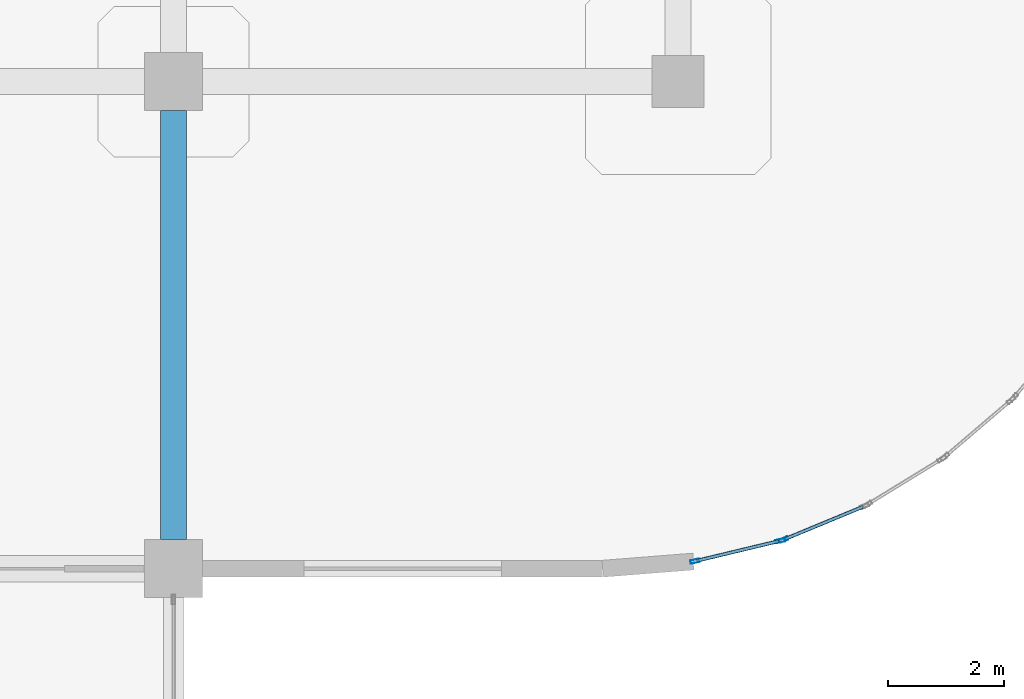
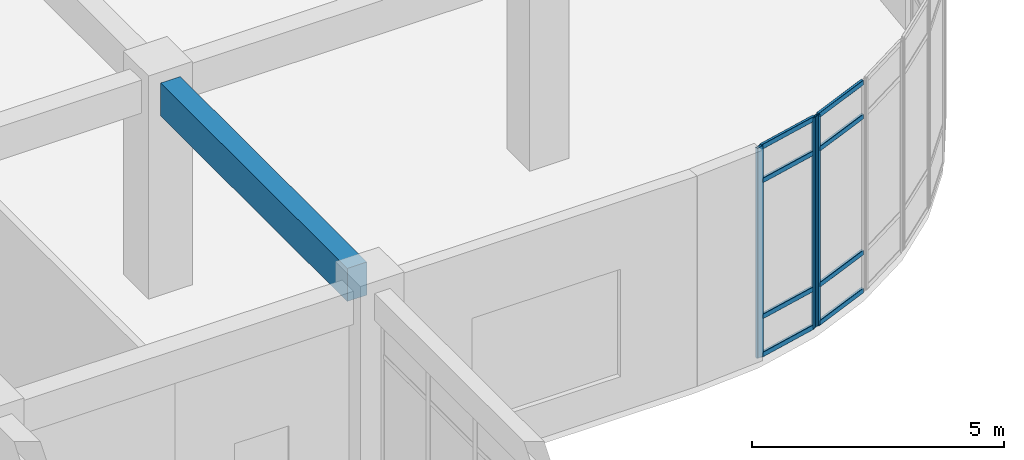
# One storey, part 70 of 114: 11 members, 1 beam, 2 elements without a shape of their own.
"""IFC4 building model written with IfcOpenShell, lengths in metres."""

import ifcopenshell
import ifcopenshell.guid

model = None  # the IFC model being written
_history = None  # IfcOwnerHistory: only IFC2X3 demands one
_inside = {}  # id of a spatial element -> (the spatial element, [elements in it])
_under = {}  # id of a project, library or spatial element -> (it, [spatial elements below it])
_declared = {}  # id of a project -> (the project, [libraries it declares])
_typed = {}  # id of a type object -> (the type object, [elements of that type])
_made_of = {}  # id of a material, layer set ... -> (it, [elements and type objects made of it])


def new_model(schema):
    """Start an empty IFC model of exactly this schema.

    Asked for "IFC4X3", IfcOpenShell would pick the latest addendum, in which some entities
    have other attributes; the version numbers below select the first issue.
    IFC2X3 requires an IfcOwnerHistory on every rooted entity: one is made here for all.
    """
    global model, _history
    if schema == "IFC4X3":
        model = ifcopenshell.file(schema_version=(4, 3, 0, 0))
    else:
        model = ifcopenshell.file(schema=schema)
    _inside.clear()
    _under.clear()
    _declared.clear()
    _typed.clear()
    _made_of.clear()
    _history = None
    if model.schema == "IFC2X3":
        org = make("IfcOrganization", Name="unknown")
        user = make(
            "IfcPersonAndOrganization",
            ThePerson=make("IfcPerson", FamilyName="unknown"),
            TheOrganization=org,
        )
        app = make(
            "IfcApplication",
            ApplicationDeveloper=org,
            Version="unknown",
            ApplicationFullName="unknown",
            ApplicationIdentifier="unknown",
        )
        _history = make(
            "IfcOwnerHistory",
            OwningUser=user,
            OwningApplication=app,
            ChangeAction="ADDED",
            CreationDate=0,
        )
    return model


def make(cls, **values):
    """One entity of the class cls with the attributes given. An attribute that is None is left unset."""
    return model.create_entity(
        cls, **{name: value for name, value in values.items() if value is not None}
    )


def rooted(cls, **values):
    """An entity with a GlobalId (a new one), such as an element, a storey or a relation."""
    return make(cls, GlobalId=ifcopenshell.guid.new(), OwnerHistory=_history, **values)


def si_unit(unit_type, name, prefix=None):
    """IfcSIUnit, for example si_unit("LENGTHUNIT", "METRE", prefix="MILLI")."""
    return make("IfcSIUnit", UnitType=unit_type, Prefix=prefix, Name=name)


def derived_unit(unit_type, elements):
    """IfcDerivedUnit: a product of units, each with its exponent."""
    return make(
        "IfcDerivedUnit",
        Elements=[
            make("IfcDerivedUnitElement", Unit=unit, Exponent=power)
            for unit, power in elements
        ],
        UnitType=unit_type,
    )


def assignment(units):
    """IfcUnitAssignment: the units of a project."""
    return None if units is None else make("IfcUnitAssignment", Units=units)


def point(xyz):
    """IfcCartesianPoint."""
    return None if xyz is None else make("IfcCartesianPoint", Coordinates=xyz)


def direction(xyz):
    """IfcDirection."""
    return None if xyz is None else make("IfcDirection", DirectionRatios=xyz)


def frame(location, z_axis=None, x_axis=None):
    """IfcAxis2Placement3D, a coordinate frame: its origin and axes. An axis left out is left unset."""
    return make(
        "IfcAxis2Placement3D",
        Location=point(location),
        Axis=direction(z_axis),
        RefDirection=direction(x_axis),
    )


def frame_2d(location, x_axis=None):
    """IfcAxis2Placement2D, a coordinate frame in the plane: its origin and x axis."""
    return make(
        "IfcAxis2Placement2D", Location=point(location), RefDirection=direction(x_axis)
    )


def origin():
    """The frame at (0, 0, 0) with its axes left unset."""
    return frame((0.0, 0.0, 0.0))


def origin_2d():
    """The frame at (0, 0) in the plane with its x axis left unset."""
    return frame_2d((0.0, 0.0))


def place(relative_to, where):
    """IfcLocalPlacement: puts the frame where relative to a parent placement (None: the world)."""
    return make(
        "IfcLocalPlacement", PlacementRelTo=relative_to, RelativePlacement=where
    )


def context(
    kind, dimensions, precision=None, world=None, true_north=None, identifier=None
):
    """IfcGeometricRepresentationContext, for example the 3D "Model" context."""
    return make(
        "IfcGeometricRepresentationContext",
        ContextIdentifier=identifier,
        ContextType=kind,
        CoordinateSpaceDimension=dimensions,
        Precision=precision,
        WorldCoordinateSystem=world,
        TrueNorth=true_north,
    )


def subcontext(parent, identifier, kind, view, scale=None):
    """IfcGeometricRepresentationSubContext, for example "Body" below "Model"."""
    return make(
        "IfcGeometricRepresentationSubContext",
        ContextIdentifier=identifier,
        ContextType=kind,
        ParentContext=parent,
        TargetScale=scale,
        TargetView=view,
    )


def project(units=None, contexts=None):
    """IfcProject with its units and contexts."""
    return rooted(
        "IfcProject",
        Name="project",
        RepresentationContexts=contexts,
        UnitsInContext=assignment(units),
    )


def spatial(cls, under=None, at=None, **own):
    """A site, building, storey or space (cls), placed at a placement, below another one or the project."""
    s = rooted(cls, ObjectPlacement=at, **own)
    if under is not None:
        _under.setdefault(under.id(), (under, []))[1].append(s)
    return s


def profile(cls, at=None, kind="AREA", **sizes):
    """A parametric profile (cls). Its sizes go by their IFC names, for example OverallWidth=200.0."""
    return make(cls, ProfileType=kind, Position=at, **sizes)


def rectangle(**sizes):
    """IfcRectangleProfileDef."""
    return profile("IfcRectangleProfileDef", **sizes)


def hollow_rectangle(**sizes):
    """IfcRectangleHollowProfileDef."""
    return profile("IfcRectangleHollowProfileDef", **sizes)


def extrude(swept, where, along, depth):
    """IfcExtrudedAreaSolid: the profile swept, set in the frame where, extruded along a direction by depth."""
    return make(
        "IfcExtrudedAreaSolid",
        SweptArea=swept,
        Position=where,
        ExtrudedDirection=direction(along),
        Depth=depth,
    )


def shape(context_of_items, identifier, shape_type, items):
    """IfcShapeRepresentation: the items that make up one representation, for example the "Body"."""
    return make(
        "IfcShapeRepresentation",
        ContextOfItems=context_of_items,
        RepresentationIdentifier=identifier,
        RepresentationType=shape_type,
        Items=items,
    )


def material(Name=None, Category=None):
    """IfcMaterial."""
    return make("IfcMaterial", Name=Name, Category=Category)


def layer(
    of_material, thickness, ventilated=None, Name=None, Category=None, Priority=None
):
    """IfcMaterialLayer: one layer of a wall or slab, of a material (None: an air gap)."""
    return make(
        "IfcMaterialLayer",
        Material=of_material,
        LayerThickness=thickness,
        IsVentilated=ventilated,
        Name=Name,
        Category=Category,
        Priority=Priority,
    )


def layer_set(layers, Name=None):
    """IfcMaterialLayerSet."""
    return make("IfcMaterialLayerSet", MaterialLayers=layers, LayerSetName=Name)


def material_profile(
    of_material, cross_section, Name=None, Category=None, Priority=None
):
    """IfcMaterialProfile: a cross section and its material."""
    return make(
        "IfcMaterialProfile",
        Name=Name,
        Material=of_material,
        Profile=cross_section,
        Priority=Priority,
        Category=Category,
    )


def profile_set(profiles, Name=None, composite=None):
    """IfcMaterialProfileSet."""
    return make(
        "IfcMaterialProfileSet",
        Name=Name,
        MaterialProfiles=profiles,
        CompositeProfile=composite,
    )


def made_of(thing, what):
    """Note that an element or type object is made of a material, layer set ...; save() writes the relation."""
    if what is not None:
        _made_of.setdefault(what.id(), (what, []))[1].append(thing)
    return thing


def type_object(cls, material=None, **own):
    """A type object (cls), such as IfcWallType, which elements share."""
    return made_of(rooted(cls, **own), material)


def element(
    cls,
    number,
    at=None,
    inside=None,
    cuts=None,
    type_object=None,
    material=None,
    context=None,
    identifier="Body",
    shape_type=None,
    held_by="IfcProductDefinitionShape",
    body=None,
    shapes=None,
    **own,
):
    """One element of the class cls, such as IfcWall. Its Tag is "e" and its number.

    at: its placement. inside: the storey or other place that contains it. cuts: it is an
    opening in that element (IfcRelVoidsElement). A single representation is given by context,
    identifier, shape_type and body (its items); several are given by shapes. held_by: the class
    of the entity that holds the representations. save() writes the other relations.
    """
    e = rooted(cls, Tag="e%d" % number, ObjectPlacement=at, **own)
    if body is not None:
        shapes = [shape(context, identifier, shape_type, body)]
    if shapes is not None:
        e.Representation = make(held_by, Representations=shapes)
    if inside is not None:
        _inside.setdefault(inside.id(), (inside, []))[1].append(e)
    if cuts is not None:
        rooted(
            "IfcRelVoidsElement", RelatingBuildingElement=cuts, RelatedOpeningElement=e
        )
    if type_object is not None:
        _typed.setdefault(type_object.id(), (type_object, []))[1].append(e)
    return made_of(e, material)


def aggregate(whole, parts):
    """IfcRelAggregates: a whole, such as a stair, and the parts it consists of."""
    return rooted("IfcRelAggregates", RelatingObject=whole, RelatedObjects=parts)


def save(model, path):
    """Write the relations noted so far, then the file.

    IfcRelAggregates (storeys below a building ...), IfcRelContainedInSpatialStructure (elements
    in a storey), IfcRelDefinesByType, IfcRelAssociatesMaterial and IfcRelDeclares: one each for
    every whole, place, type object, material and project.
    """
    for whole, parts in _under.values():
        aggregate(whole, parts)
    for where, things in _inside.values():
        rooted(
            "IfcRelContainedInSpatialStructure",
            RelatedElements=things,
            RelatingStructure=where,
        )
    for kind, things in _typed.values():
        rooted("IfcRelDefinesByType", RelatedObjects=things, RelatingType=kind)
    for what, things in _made_of.values():
        rooted("IfcRelAssociatesMaterial", RelatedObjects=things, RelatingMaterial=what)
    for by, libraries in _declared.values():
        rooted("IfcRelDeclares", RelatingContext=by, RelatedDefinitions=libraries)
    model.write(path)


model = new_model("IFC4")

# Units and contexts
model_context = context("Model", 3, precision=1e-05, world=origin(), true_north=direction((0.0, 1.0)))
body_context = subcontext(model_context, "Body", "Model", "MODEL_VIEW")
ifc_project = project(units=[si_unit("LENGTHUNIT", "METRE"), si_unit("AREAUNIT", "SQUARE_METRE"), si_unit("VOLUMEUNIT", "CUBIC_METRE"), si_unit("PLANEANGLEUNIT", "RADIAN"), si_unit("MASSUNIT", "GRAM", prefix="KILO"), derived_unit("THERMALTRANSMITTANCEUNIT", [(si_unit("MASSUNIT", "GRAM", prefix="KILO"), 1), (si_unit("TIMEUNIT", "SECOND"), -3), (si_unit("THERMODYNAMICTEMPERATUREUNIT", "KELVIN"), -1)])], contexts=[model_context])

# Site, building, storey
site_placement = place(None, origin())
site = spatial("IfcSite", under=ifc_project, at=site_placement, CompositionType="ELEMENT")
building_placement = place(site_placement, origin())
building = spatial("IfcBuilding", under=site, at=building_placement, Name="Qinzheling Arcade Emporium", CompositionType="ELEMENT")
storey_placement = place(building_placement, frame((0.0, 0.0, 6.0)))
storey = spatial("IfcBuildingStorey", under=building, at=storey_placement, Name="L02", CompositionType="ELEMENT", Elevation=6.0)

# Curtain wall, member
ifc_material_1 = material(Name="Anodised aluminium and solar-control double glazing", Category="aluminium")
ifc_layer = layer(ifc_material_1, 0.159912109375, Name="Anodised aluminium and solar-control double glazing", Category="aluminium")
ifc_layer_set = layer_set([ifc_layer], Name="Anodised aluminium and solar-control double glazing")
curtain_wall_type = type_object("IfcCurtainWallType", Name="Curved Ribbon Sales Curtain Wall", PredefinedType="NOTDEFINED", material=ifc_layer_set)
curtain_wall_1_placement = place(storey_placement, origin())
curtain_wall_1 = element("IfcCurtainWall", 1, at=curtain_wall_1_placement, inside=storey, type_object=curtain_wall_type, Name="Curtain Wall CW-L02-120", PredefinedType="NOTDEFINED")
ifc_material_2 = material(Name="Anodised aluminium 6063-T6", Category="aluminium")
ifc_material_profile_1 = material_profile(ifc_material_2, hollow_rectangle(XDim=0.06005859375, YDim=0.159912109375, WallThickness=0.00390625, InnerFilletRadius=0.00390625, OuterFilletRadius=0.008056640625, at=origin_2d()), Name="RHS 160x60x4", Category="aluminium")
ifc_profile_set_1 = profile_set([ifc_material_profile_1], Name="Anodised aluminium 6063-T6")
member_type_1 = type_object("IfcMemberType", Name="Curtain Wall Mullion RHS160x60", PredefinedType="MULLION", material=ifc_profile_set_1)
member_1_placement = place(storey_placement, frame((141.017822265625, 74.300537109375, 0.0), z_axis=(0.0, 0.0, 1.0), x_axis=(0.382895684967, -0.923791586038, 0.0)))
member_1 = element("IfcMember", 2, at=member_1_placement, type_object=member_type_1, Name="CW02 mullion 2", PredefinedType="MULLION", context=body_context, shape_type="SweptSolid", body=[
    extrude(hollow_rectangle(XDim=0.06005859375, YDim=0.159912109375, WallThickness=0.00390625, InnerFilletRadius=0.00390625, OuterFilletRadius=0.008056640625, at=origin_2d()), origin(), (0.0, 0.0, 1.0), 5.090087890625),
])

# Curtain wall, members
curtain_wall_2_placement = place(storey_placement, origin())
curtain_wall_2 = element("IfcCurtainWall", 3, at=curtain_wall_2_placement, inside=storey, type_object=curtain_wall_type, Name="Curtain Wall CW-L02-121", PredefinedType="NOTDEFINED")
member_2_placement = place(storey_placement, frame((140.9609375, 74.281982421875, 0.0), z_axis=(0.0, 0.0, 1.0), x_axis=(0.233228342659, -0.972421996964, 0.0)))
member_2 = element("IfcMember", 4, at=member_2_placement, type_object=member_type_1, Name="CW02 mullion 1", PredefinedType="MULLION", context=body_context, shape_type="SweptSolid", body=[
    extrude(hollow_rectangle(XDim=0.06005859375, YDim=0.159912109375, WallThickness=0.00390625, InnerFilletRadius=0.00390625, OuterFilletRadius=0.008056640625, at=origin_2d()), origin(), (0.0, 0.0, 1.0), 5.090087890625),
])
member_3_placement = place(storey_placement, frame((139.4931640625, 73.929931640625, 0.0), z_axis=(0.0, 0.0, 1.0), x_axis=(0.233228342659, -0.972421996964, 0.0)))
member_3 = element("IfcMember", 5, at=member_3_placement, type_object=member_type_1, Name="CW02 mullion 2", PredefinedType="MULLION", context=body_context, shape_type="SweptSolid", body=[
    extrude(hollow_rectangle(XDim=0.06005859375, YDim=0.159912109375, WallThickness=0.00390625, InnerFilletRadius=0.00390625, OuterFilletRadius=0.008056640625, at=origin_2d()), origin(), (0.0, 0.0, 1.0), 5.090087890625),
])

# Member
ifc_material_profile_2 = material_profile(ifc_material_2, hollow_rectangle(XDim=0.06005859375, YDim=0.1201171875, WallThickness=0.00390625, InnerFilletRadius=0.00390625, OuterFilletRadius=0.008056640625, at=origin_2d()), Name="RHS 120x60x4", Category="aluminium")
ifc_profile_set_2 = profile_set([ifc_material_profile_2], Name="Anodised aluminium 6063-T6")
member_type_2 = type_object("IfcMemberType", Name="Curtain Wall Transom RHS120x60", PredefinedType="USERDEFINED", material=ifc_profile_set_2)
member_4_placement = place(storey_placement, frame((142.384521484375, 74.866943359375, 0.030029296875), z_axis=(-0.923817673636, -0.382832738774, 0.0), x_axis=(0.382832738774, -0.923817673636, 0.0)))
member_4 = element("IfcMember", 6, at=member_4_placement, type_object=member_type_2, Name="CW02 transom 1.1", ObjectType="TRANSOM", PredefinedType="USERDEFINED", context=body_context, shape_type="SweptSolid", body=[
    extrude(hollow_rectangle(XDim=0.06005859375, YDim=0.1201171875, WallThickness=0.00390625, InnerFilletRadius=0.00390625, OuterFilletRadius=0.008056640625, at=origin_2d()), origin(), (0.0, 0.0, 1.0), 1.449462890625),
])

member_5_placement = place(storey_placement, frame((142.384521484375, 74.866943359375, 0.949951171875), z_axis=(-0.923817673636, -0.382832738774, 0.0), x_axis=(0.382832738774, -0.923817673636, 0.0)))
member_5 = element("IfcMember", 7, at=member_5_placement, type_object=member_type_2, Name="CW02 transom 1.2", ObjectType="TRANSOM", PredefinedType="USERDEFINED", context=body_context, shape_type="SweptSolid", body=[
    extrude(hollow_rectangle(XDim=0.06005859375, YDim=0.1201171875, WallThickness=0.00390625, InnerFilletRadius=0.00390625, OuterFilletRadius=0.008056640625, at=origin_2d()), origin(), (0.0, 0.0, 1.0), 1.449462890625),
])

member_6_placement = place(storey_placement, frame((142.384521484375, 74.866943359375, 4.239990234375), z_axis=(-0.923817673636, -0.382832738774, 0.0), x_axis=(0.382832738774, -0.923817673636, 0.0)))
member_6 = element("IfcMember", 8, at=member_6_placement, type_object=member_type_2, Name="CW02 transom 1.3", ObjectType="TRANSOM", PredefinedType="USERDEFINED", context=body_context, shape_type="SweptSolid", body=[
    extrude(hollow_rectangle(XDim=0.06005859375, YDim=0.1201171875, WallThickness=0.00390625, InnerFilletRadius=0.00390625, OuterFilletRadius=0.008056640625, at=origin_2d()), origin(), (0.0, 0.0, 1.0), 1.449462890625),
])

member_7_placement = place(storey_placement, frame((142.384521484375, 74.866943359375, 5.06005859375), z_axis=(-0.923817673636, -0.382832738774, 0.0), x_axis=(0.382832738774, -0.923817673636, 0.0)))
member_7 = element("IfcMember", 9, at=member_7_placement, type_object=member_type_2, Name="CW02 transom 1.4", ObjectType="TRANSOM", PredefinedType="USERDEFINED", context=body_context, shape_type="SweptSolid", body=[
    extrude(hollow_rectangle(XDim=0.06005859375, YDim=0.1201171875, WallThickness=0.00390625, InnerFilletRadius=0.00390625, OuterFilletRadius=0.008056640625, at=origin_2d()), origin(), (0.0, 0.0, 1.0), 1.449462890625),
])

aggregate(curtain_wall_1, [member_1, member_4, member_5, member_6, member_7])

member_8_placement = place(storey_placement, frame((140.931640625, 74.27490234375, 0.030029296875), z_axis=(-0.97243621729, -0.233169044478, 0.0), x_axis=(0.233169044478, -0.97243621729, 0.0)))
member_8 = element("IfcMember", 10, at=member_8_placement, type_object=member_type_2, Name="CW02 transom 1.1", ObjectType="TRANSOM", PredefinedType="USERDEFINED", context=body_context, shape_type="SweptSolid", body=[
    extrude(hollow_rectangle(XDim=0.06005859375, YDim=0.1201171875, WallThickness=0.00390625, InnerFilletRadius=0.00390625, OuterFilletRadius=0.008056640625, at=origin_2d()), origin(), (0.0, 0.0, 1.0), 1.44921875),
])

member_9_placement = place(storey_placement, frame((140.931640625, 74.27490234375, 0.949951171875), z_axis=(-0.97243621729, -0.233169044478, 0.0), x_axis=(0.233169044478, -0.97243621729, 0.0)))
member_9 = element("IfcMember", 11, at=member_9_placement, type_object=member_type_2, Name="CW02 transom 1.2", ObjectType="TRANSOM", PredefinedType="USERDEFINED", context=body_context, shape_type="SweptSolid", body=[
    extrude(hollow_rectangle(XDim=0.06005859375, YDim=0.1201171875, WallThickness=0.00390625, InnerFilletRadius=0.00390625, OuterFilletRadius=0.008056640625, at=origin_2d()), origin(), (0.0, 0.0, 1.0), 1.44921875),
])

member_10_placement = place(storey_placement, frame((140.931640625, 74.27490234375, 4.239990234375), z_axis=(-0.97243621729, -0.233169044478, 0.0), x_axis=(0.233169044478, -0.97243621729, 0.0)))
member_10 = element("IfcMember", 12, at=member_10_placement, type_object=member_type_2, Name="CW02 transom 1.3", ObjectType="TRANSOM", PredefinedType="USERDEFINED", context=body_context, shape_type="SweptSolid", body=[
    extrude(hollow_rectangle(XDim=0.06005859375, YDim=0.1201171875, WallThickness=0.00390625, InnerFilletRadius=0.00390625, OuterFilletRadius=0.008056640625, at=origin_2d()), origin(), (0.0, 0.0, 1.0), 1.44921875),
])

member_11_placement = place(storey_placement, frame((140.931640625, 74.27490234375, 5.06005859375), z_axis=(-0.97243621729, -0.233169044478, 0.0), x_axis=(0.233169044478, -0.97243621729, 0.0)))
member_11 = element("IfcMember", 13, at=member_11_placement, type_object=member_type_2, Name="CW02 transom 1.4", ObjectType="TRANSOM", PredefinedType="USERDEFINED", context=body_context, shape_type="SweptSolid", body=[
    extrude(hollow_rectangle(XDim=0.06005859375, YDim=0.1201171875, WallThickness=0.00390625, InnerFilletRadius=0.00390625, OuterFilletRadius=0.008056640625, at=origin_2d()), origin(), (0.0, 0.0, 1.0), 1.44921875),
])

aggregate(curtain_wall_2, [member_2, member_3, member_8, member_9, member_10, member_11])

# Beam
ifc_material_3 = material(Name="Concrete C40", Category="concrete")
ifc_material_profile_3 = material_profile(ifc_material_3, rectangle(XDim=0.449951171875, YDim=0.800048828125, at=origin_2d()), Name="RC 450x800", Category="concrete")
ifc_profile_set_3 = profile_set([ifc_material_profile_3], Name="Concrete C40")
beam_type = type_object("IfcBeamType", Name="RC Primary Frame Beam 450x800 C40", PredefinedType="BEAM", material=ifc_profile_set_3)
beam_placement = place(storey_placement, frame((130.5, 74.300048828125, 4.735107421875), z_axis=(0.0, 1.0, 0.0), x_axis=(-1.0, 0.0, 0.0)))
element("IfcBeam", 14, at=beam_placement, inside=storey, type_object=beam_type, Name="Beam BM-L02-Y-16-J", PredefinedType="BEAM", context=body_context, shape_type="SweptSolid", body=[
    extrude(rectangle(XDim=0.449951171875, YDim=0.800048828125, at=origin_2d()), origin(), (0.0, 0.0, 1.0), 7.39990234375),
])

save(model, "model.ifc")
